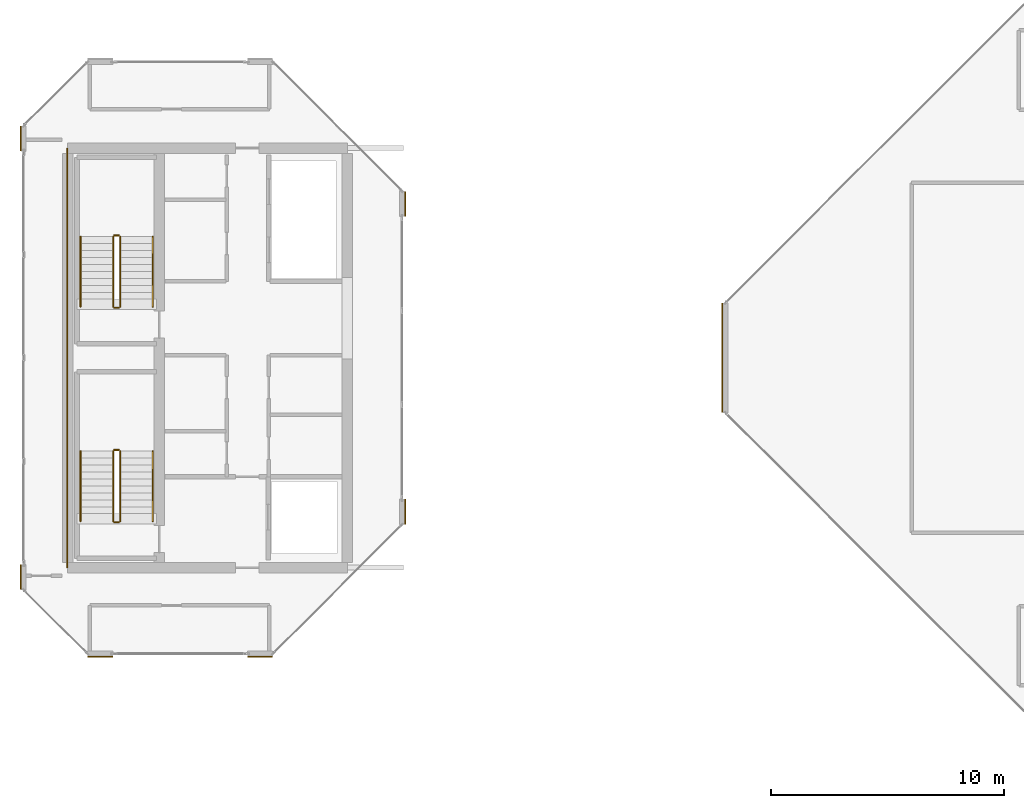
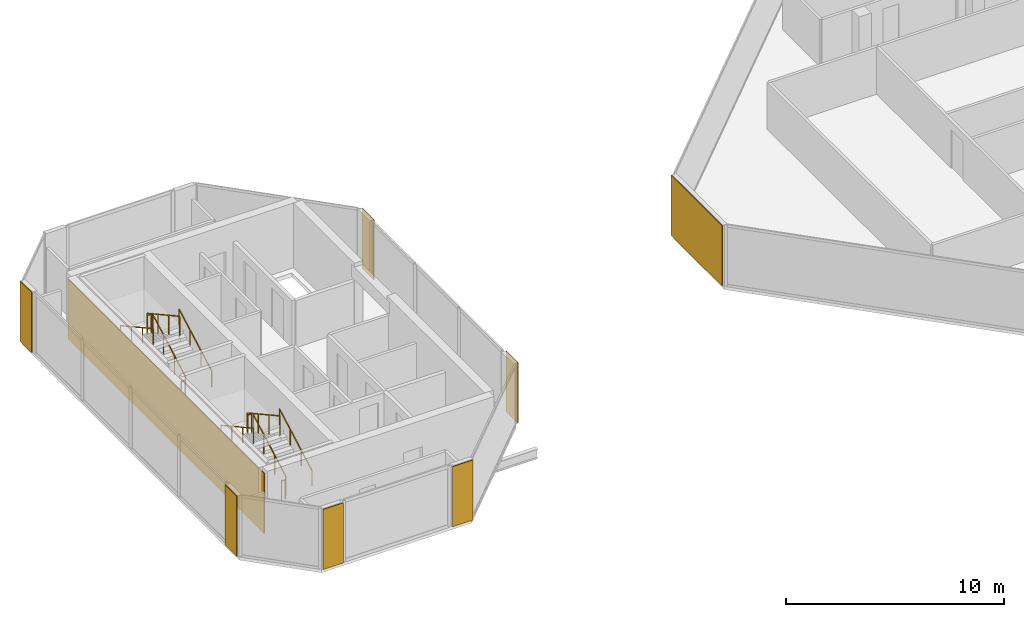
# One storey, part 26 of 28: 12 railings, 8 coverings.
"""IFC4 building model written with IfcOpenShell, lengths in metres."""

import ifcopenshell
import ifcopenshell.guid

model = None  # the IFC model being written
_history = None  # IfcOwnerHistory: only IFC2X3 demands one
_inside = {}  # id of a spatial element -> (the spatial element, [elements in it])
_under = {}  # id of a project, library or spatial element -> (it, [spatial elements below it])
_declared = {}  # id of a project -> (the project, [libraries it declares])
_typed = {}  # id of a type object -> (the type object, [elements of that type])
_made_of = {}  # id of a material, layer set ... -> (it, [elements and type objects made of it])


def new_model(schema):
    """Start an empty IFC model of exactly this schema.

    Asked for "IFC4X3", IfcOpenShell would pick the latest addendum, in which some entities
    have other attributes; the version numbers below select the first issue.
    IFC2X3 requires an IfcOwnerHistory on every rooted entity: one is made here for all.
    """
    global model, _history
    if schema == "IFC4X3":
        model = ifcopenshell.file(schema_version=(4, 3, 0, 0))
    else:
        model = ifcopenshell.file(schema=schema)
    _inside.clear()
    _under.clear()
    _declared.clear()
    _typed.clear()
    _made_of.clear()
    _history = None
    if model.schema == "IFC2X3":
        org = make("IfcOrganization", Name="unknown")
        user = make(
            "IfcPersonAndOrganization",
            ThePerson=make("IfcPerson", FamilyName="unknown"),
            TheOrganization=org,
        )
        app = make(
            "IfcApplication",
            ApplicationDeveloper=org,
            Version="unknown",
            ApplicationFullName="unknown",
            ApplicationIdentifier="unknown",
        )
        _history = make(
            "IfcOwnerHistory",
            OwningUser=user,
            OwningApplication=app,
            ChangeAction="ADDED",
            CreationDate=0,
        )
    return model


def make(cls, **values):
    """One entity of the class cls with the attributes given. An attribute that is None is left unset."""
    return model.create_entity(
        cls, **{name: value for name, value in values.items() if value is not None}
    )


def rooted(cls, **values):
    """An entity with a GlobalId (a new one), such as an element, a storey or a relation."""
    return make(cls, GlobalId=ifcopenshell.guid.new(), OwnerHistory=_history, **values)


def si_unit(unit_type, name, prefix=None):
    """IfcSIUnit, for example si_unit("LENGTHUNIT", "METRE", prefix="MILLI")."""
    return make("IfcSIUnit", UnitType=unit_type, Prefix=prefix, Name=name)


def assignment(units):
    """IfcUnitAssignment: the units of a project."""
    return None if units is None else make("IfcUnitAssignment", Units=units)


def point(xyz):
    """IfcCartesianPoint."""
    return None if xyz is None else make("IfcCartesianPoint", Coordinates=xyz)


def direction(xyz):
    """IfcDirection."""
    return None if xyz is None else make("IfcDirection", DirectionRatios=xyz)


def frame(location, z_axis=None, x_axis=None):
    """IfcAxis2Placement3D, a coordinate frame: its origin and axes. An axis left out is left unset."""
    return make(
        "IfcAxis2Placement3D",
        Location=point(location),
        Axis=direction(z_axis),
        RefDirection=direction(x_axis),
    )


def frame_2d(location, x_axis=None):
    """IfcAxis2Placement2D, a coordinate frame in the plane: its origin and x axis."""
    return make(
        "IfcAxis2Placement2D", Location=point(location), RefDirection=direction(x_axis)
    )


def origin():
    """The frame at (0, 0, 0) with its axes left unset."""
    return frame((0.0, 0.0, 0.0))


def origin_2d():
    """The frame at (0, 0) in the plane with its x axis left unset."""
    return frame_2d((0.0, 0.0))


def place(relative_to, where):
    """IfcLocalPlacement: puts the frame where relative to a parent placement (None: the world)."""
    return make(
        "IfcLocalPlacement", PlacementRelTo=relative_to, RelativePlacement=where
    )


def context(
    kind, dimensions, precision=None, world=None, true_north=None, identifier=None
):
    """IfcGeometricRepresentationContext, for example the 3D "Model" context."""
    return make(
        "IfcGeometricRepresentationContext",
        ContextIdentifier=identifier,
        ContextType=kind,
        CoordinateSpaceDimension=dimensions,
        Precision=precision,
        WorldCoordinateSystem=world,
        TrueNorth=true_north,
    )


def subcontext(parent, identifier, kind, view, scale=None):
    """IfcGeometricRepresentationSubContext, for example "Body" below "Model"."""
    return make(
        "IfcGeometricRepresentationSubContext",
        ContextIdentifier=identifier,
        ContextType=kind,
        ParentContext=parent,
        TargetScale=scale,
        TargetView=view,
    )


def project(units=None, contexts=None):
    """IfcProject with its units and contexts."""
    return rooted(
        "IfcProject",
        Name="project",
        RepresentationContexts=contexts,
        UnitsInContext=assignment(units),
    )


def spatial(cls, under=None, at=None, **own):
    """A site, building, storey or space (cls), placed at a placement, below another one or the project."""
    s = rooted(cls, ObjectPlacement=at, **own)
    if under is not None:
        _under.setdefault(under.id(), (under, []))[1].append(s)
    return s


def profile(cls, at=None, kind="AREA", **sizes):
    """A parametric profile (cls). Its sizes go by their IFC names, for example OverallWidth=200.0."""
    return make(cls, ProfileType=kind, Position=at, **sizes)


def rectangle(**sizes):
    """IfcRectangleProfileDef."""
    return profile("IfcRectangleProfileDef", **sizes)


def extrude(swept, where, along, depth):
    """IfcExtrudedAreaSolid: the profile swept, set in the frame where, extruded along a direction by depth."""
    return make(
        "IfcExtrudedAreaSolid",
        SweptArea=swept,
        Position=where,
        ExtrudedDirection=direction(along),
        Depth=depth,
    )


def shape(context_of_items, identifier, shape_type, items):
    """IfcShapeRepresentation: the items that make up one representation, for example the "Body"."""
    return make(
        "IfcShapeRepresentation",
        ContextOfItems=context_of_items,
        RepresentationIdentifier=identifier,
        RepresentationType=shape_type,
        Items=items,
    )


def material(Name=None, Category=None):
    """IfcMaterial."""
    return make("IfcMaterial", Name=Name, Category=Category)


def layer(
    of_material, thickness, ventilated=None, Name=None, Category=None, Priority=None
):
    """IfcMaterialLayer: one layer of a wall or slab, of a material (None: an air gap)."""
    return make(
        "IfcMaterialLayer",
        Material=of_material,
        LayerThickness=thickness,
        IsVentilated=ventilated,
        Name=Name,
        Category=Category,
        Priority=Priority,
    )


def layer_set(layers, Name=None):
    """IfcMaterialLayerSet."""
    return make("IfcMaterialLayerSet", MaterialLayers=layers, LayerSetName=Name)


def made_of(thing, what):
    """Note that an element or type object is made of a material, layer set ...; save() writes the relation."""
    if what is not None:
        _made_of.setdefault(what.id(), (what, []))[1].append(thing)
    return thing


def type_object(cls, material=None, **own):
    """A type object (cls), such as IfcWallType, which elements share."""
    return made_of(rooted(cls, **own), material)


def element(
    cls,
    number,
    at=None,
    inside=None,
    cuts=None,
    type_object=None,
    material=None,
    context=None,
    identifier="Body",
    shape_type=None,
    held_by="IfcProductDefinitionShape",
    body=None,
    shapes=None,
    **own,
):
    """One element of the class cls, such as IfcWall. Its Tag is "e" and its number.

    at: its placement. inside: the storey or other place that contains it. cuts: it is an
    opening in that element (IfcRelVoidsElement). A single representation is given by context,
    identifier, shape_type and body (its items); several are given by shapes. held_by: the class
    of the entity that holds the representations. save() writes the other relations.
    """
    e = rooted(cls, Tag="e%d" % number, ObjectPlacement=at, **own)
    if body is not None:
        shapes = [shape(context, identifier, shape_type, body)]
    if shapes is not None:
        e.Representation = make(held_by, Representations=shapes)
    if inside is not None:
        _inside.setdefault(inside.id(), (inside, []))[1].append(e)
    if cuts is not None:
        rooted(
            "IfcRelVoidsElement", RelatingBuildingElement=cuts, RelatedOpeningElement=e
        )
    if type_object is not None:
        _typed.setdefault(type_object.id(), (type_object, []))[1].append(e)
    return made_of(e, material)


def aggregate(whole, parts):
    """IfcRelAggregates: a whole, such as a stair, and the parts it consists of."""
    return rooted("IfcRelAggregates", RelatingObject=whole, RelatedObjects=parts)


def save(model, path):
    """Write the relations noted so far, then the file.

    IfcRelAggregates (storeys below a building ...), IfcRelContainedInSpatialStructure (elements
    in a storey), IfcRelDefinesByType, IfcRelAssociatesMaterial and IfcRelDeclares: one each for
    every whole, place, type object, material and project.
    """
    for whole, parts in _under.values():
        aggregate(whole, parts)
    for where, things in _inside.values():
        rooted(
            "IfcRelContainedInSpatialStructure",
            RelatedElements=things,
            RelatingStructure=where,
        )
    for kind, things in _typed.values():
        rooted("IfcRelDefinesByType", RelatedObjects=things, RelatingType=kind)
    for what, things in _made_of.values():
        rooted("IfcRelAssociatesMaterial", RelatedObjects=things, RelatingMaterial=what)
    for by, libraries in _declared.values():
        rooted("IfcRelDeclares", RelatingContext=by, RelatedDefinitions=libraries)
    model.write(path)


model = new_model("IFC4")

# Units and contexts
model_context = context("Model", 3, precision=1e-05, world=origin(), true_north=direction((0.0, 1.0)))
body_context = subcontext(model_context, "Body", "Model", "MODEL_VIEW")
ifc_project = project(units=[si_unit("LENGTHUNIT", "METRE"), si_unit("AREAUNIT", "SQUARE_METRE"), si_unit("VOLUMEUNIT", "CUBIC_METRE"), si_unit("PLANEANGLEUNIT", "RADIAN"), si_unit("MASSUNIT", "GRAM", prefix="KILO")], contexts=[model_context])

# Site, building, storey
site_placement = place(None, origin())
site = spatial("IfcSite", under=ifc_project, at=site_placement, CompositionType="ELEMENT")
building_placement = place(site_placement, origin())
building = spatial("IfcBuilding", under=site, at=building_placement, Name="Tanjung Sevakor Pilgrim Tower", CompositionType="ELEMENT")
storey_placement = place(building_placement, frame((0.0, 0.0, 246.179931640625)))
storey = spatial("IfcBuildingStorey", under=building, at=storey_placement, Name="L69", CompositionType="ELEMENT", Elevation=246.179931640625)

# Coverings
ifc_material_1 = material(Name="Reconstructed Limestone Cladding", Category="masonry")
ifc_layer = layer(ifc_material_1, 0.044921875)
ifc_layer_set = layer_set([ifc_layer], Name="COV-CLAD-LIMESTONE")
covering_type = type_object("IfcCoveringType", Name="COV-CLAD-LIMESTONE", PredefinedType="CLADDING", material=ifc_layer_set)
for number, where, z_axis, x_axis, name in (
    (1, (25.3955078125, 20.777587890625, 0.02001953125), (0.0, 0.0, 1.0), (1.0, 0.0, 0.0), "L69 Warm Limestone Wall Cladding EW-CRN1-L69-WEST-0-1"),
    (2, (32.25439453125, 20.777587890625, 0.02001953125), (0.0, 0.0, 1.0), (1.0, 0.0, 0.0), "L69 Warm Limestone Wall Cladding EW-CRN2-L69-WEST-0-1"),
    (3, (38.472412109375, 26.99560546875, 0.02001953125), (0.0, 0.0, 1.0), (0.0, 1.0, 0.0), "L69 Warm Limestone Wall Cladding EW-CRN1-L69-WEST-2-1"),
    (4, (38.472412109375, 40.204345703125, 0.02001953125), (0.0, 0.0, 1.0), (0.0, 1.0, 0.0), "L69 Warm Limestone Wall Cladding EW-CRN2-L69-WEST-2-1"),
    (5, (21.9775390625, 43.00439453125, 0.02001953125), (0.0, 0.0, 1.0), (0.0, -1.0, 0.0), "L69 Warm Limestone Wall Cladding EW-CRN1-L69-WEST-6-1"),
    (6, (21.9775390625, 24.195556640625, 0.02001953125), (0.0, 0.0, 1.0), (0.0, -1.0, 0.0), "L69 Warm Limestone Wall Cladding EW-CRN2-L69-WEST-6-1"),
):
    element("IfcCovering", number, at=place(storey_placement, frame(where, z_axis=z_axis, x_axis=x_axis)), inside=storey, type_object=covering_type, Name=name, PredefinedType="CLADDING", context=body_context, shape_type="SweptSolid", body=[
        extrude(rectangle(XDim=1.06005859375, YDim=0.044921875, at=origin_2d()), origin(), (0.0, 0.0, 1.0), 3.3701171875),
    ])
covering_1_placement = place(storey_placement, frame((52.077392578125, 33.60009765625, 0.02001953125), z_axis=(0.0, 0.0, 1.0), x_axis=(0.0, -1.0, 0.0)))
element("IfcCovering", 7, at=covering_1_placement, inside=storey, type_object=covering_type, Name="L69 Warm Limestone Wall Cladding EW-L69-EAST-7", PredefinedType="CLADDING", context=body_context, shape_type="SweptSolid", body=[
    extrude(rectangle(XDim=4.668701171875, YDim=0.044921875, at=origin_2d()), origin(), (0.0, 0.0, 1.0), 3.3701171875),
])
covering_2_placement = place(storey_placement, frame((23.9775390625, 33.60009765625, 0.02001953125), z_axis=(0.0, 0.0, 1.0), x_axis=(1.0, 0.0, 0.0)))
element("IfcCovering", 8, at=covering_2_placement, inside=storey, type_object=covering_type, Name="L69 Expressed Core Warm Limestone Cladding W", PredefinedType="CLADDING", context=body_context, shape_type="SweptSolid", body=[
    extrude(rectangle(XDim=0.044921875, YDim=18.0, at=origin_2d()), origin(), (0.0, 0.0, 1.0), 3.3701171875),
])

# Railings
ifc_material_2 = material(Name="Steel S355J2", Category="steel")
railing_type_1 = type_object("IfcRailingType", Name="RL-STAIR-GUARD", PredefinedType="GUARDRAIL", material=ifc_material_2)
railing_1_placement = place(storey_placement, frame((26.25, 26.60009765625, 0.1650390625)))
element("IfcRailing", 9, at=railing_1_placement, inside=storey, type_object=railing_type_1, Name="L69 TS-W1 stair guard 1", PredefinedType="GUARDRAIL", context=body_context, shape_type="SweptSolid", body=[
    extrude(rectangle(XDim=0.0479, YDim=0.0479), frame((0.0, 0.0, 1.076171875), z_axis=(0.0, 0.876197842262, 0.481951596342), x_axis=(-1.0, 0.0, 0.0)), (0.0, 0.0, 1.0), 3.423828125),
    extrude(rectangle(XDim=0.042, YDim=0.042), origin(), (0.0, 0.0, 1.0), 1.052001953125),
    extrude(rectangle(XDim=0.042, YDim=0.042), frame((0.0, 1.0, 0.550048828125)), (0.0, 0.0, 1.0), 1.052001953125),
    extrude(rectangle(XDim=0.042, YDim=0.042), frame((0.0, 2.0, 1.10009765625)), (0.0, 0.0, 1.0), 1.052001953125),
    extrude(rectangle(XDim=0.042, YDim=0.042), frame((0.0, 3.0, 1.650146484375)), (0.0, 0.0, 1.0), 1.052001953125),
])
railing_2_placement = place(storey_placement, frame((26.199951171875, 29.64990234375, 1.815185546875)))
element("IfcRailing", 10, at=railing_2_placement, inside=storey, type_object=railing_type_1, Name="L69 TS-W1 stair guard 2", PredefinedType="GUARDRAIL", context=body_context, shape_type="SweptSolid", body=[
    extrude(rectangle(XDim=0.0479, YDim=0.0479), frame((0.0, 0.0, 1.076171875), z_axis=(-1.0, 0.0, 0.0), x_axis=(0.0, -1.0, 0.0)), (0.0, 0.0, 1.0), 0.199951171875),
    extrude(rectangle(XDim=0.042, YDim=0.042), origin(), (0.0, 0.0, 1.0), 1.052001953125),
    extrude(rectangle(XDim=0.042, YDim=0.042), frame((-0.199951171875, 0.0, 0.0)), (0.0, 0.0, 1.0), 1.052001953125),
])
railing_3_placement = place(storey_placement, frame((25.949951171875, 29.60009765625, 1.97998046875)))
element("IfcRailing", 11, at=railing_3_placement, inside=storey, type_object=railing_type_1, Name="L69 TS-W1 stair guard 3", PredefinedType="GUARDRAIL", context=body_context, shape_type="SweptSolid", body=[
    extrude(rectangle(XDim=0.0479, YDim=0.0479), frame((0.0, 0.0, 1.076171875), z_axis=(0.0, -0.876197842262, 0.481951596342), x_axis=(1.0, 0.0, 0.0)), (0.0, 0.0, 1.0), 3.423828125),
    extrude(rectangle(XDim=0.042, YDim=0.042), origin(), (0.0, 0.0, 1.0), 1.052001953125),
    extrude(rectangle(XDim=0.042, YDim=0.042), frame((0.0, -1.0, 0.550048828125)), (0.0, 0.0, 1.0), 1.052001953125),
    extrude(rectangle(XDim=0.042, YDim=0.042), frame((0.0, -2.0, 1.10009765625)), (0.0, 0.0, 1.0), 1.052001953125),
    extrude(rectangle(XDim=0.042, YDim=0.042), frame((0.0, -3.0, 1.650146484375)), (0.0, 0.0, 1.0), 1.052001953125),
])
railing_4_placement = place(storey_placement, frame((26.199951171875, 26.550048828125, 0.0)))
element("IfcRailing", 12, at=railing_4_placement, inside=storey, type_object=railing_type_1, Name="L69 TS-W1 stair guard 4", PredefinedType="GUARDRAIL", context=body_context, shape_type="SweptSolid", body=[
    extrude(rectangle(XDim=0.0479, YDim=0.0479), frame((0.0, 0.0, 1.076171875), z_axis=(-1.0, 0.0, 0.0), x_axis=(0.0, -1.0, 0.0)), (0.0, 0.0, 1.0), 0.199951171875),
    extrude(rectangle(XDim=0.042, YDim=0.042), origin(), (0.0, 0.0, 1.0), 1.052001953125),
    extrude(rectangle(XDim=0.042, YDim=0.042), frame((-0.199951171875, 0.0, 0.0)), (0.0, 0.0, 1.0), 1.052001953125),
])
railing_5_placement = place(storey_placement, frame((26.25, 35.800048828125, 0.1650390625)))
element("IfcRailing", 13, at=railing_5_placement, inside=storey, type_object=railing_type_1, Name="L69 TS-W2 stair guard 1", PredefinedType="GUARDRAIL", context=body_context, shape_type="SweptSolid", body=[
    extrude(rectangle(XDim=0.0479, YDim=0.0479), frame((0.0, 0.0, 1.076171875), z_axis=(0.0, 0.876197842262, 0.481951596342), x_axis=(-1.0, 0.0, 0.0)), (0.0, 0.0, 1.0), 3.423828125),
    extrude(rectangle(XDim=0.042, YDim=0.042), origin(), (0.0, 0.0, 1.0), 1.052001953125),
    extrude(rectangle(XDim=0.042, YDim=0.042), frame((0.0, 1.0, 0.550048828125)), (0.0, 0.0, 1.0), 1.052001953125),
    extrude(rectangle(XDim=0.042, YDim=0.042), frame((0.0, 2.0, 1.10009765625)), (0.0, 0.0, 1.0), 1.052001953125),
    extrude(rectangle(XDim=0.042, YDim=0.042), frame((0.0, 3.0, 1.650146484375)), (0.0, 0.0, 1.0), 1.052001953125),
])
railing_6_placement = place(storey_placement, frame((26.199951171875, 38.85009765625, 1.815185546875)))
element("IfcRailing", 14, at=railing_6_placement, inside=storey, type_object=railing_type_1, Name="L69 TS-W2 stair guard 2", PredefinedType="GUARDRAIL", context=body_context, shape_type="SweptSolid", body=[
    extrude(rectangle(XDim=0.0479, YDim=0.0479), frame((0.0, 0.0, 1.076171875), z_axis=(-1.0, 0.0, 0.0), x_axis=(0.0, -1.0, 0.0)), (0.0, 0.0, 1.0), 0.199951171875),
    extrude(rectangle(XDim=0.042, YDim=0.042), origin(), (0.0, 0.0, 1.0), 1.052001953125),
    extrude(rectangle(XDim=0.042, YDim=0.042), frame((-0.199951171875, 0.0, 0.0)), (0.0, 0.0, 1.0), 1.052001953125),
])
railing_7_placement = place(storey_placement, frame((25.949951171875, 38.800048828125, 1.97998046875)))
element("IfcRailing", 15, at=railing_7_placement, inside=storey, type_object=railing_type_1, Name="L69 TS-W2 stair guard 3", PredefinedType="GUARDRAIL", context=body_context, shape_type="SweptSolid", body=[
    extrude(rectangle(XDim=0.0479, YDim=0.0479), frame((0.0, 0.0, 1.076171875), z_axis=(0.0, -0.876197842262, 0.481951596342), x_axis=(1.0, 0.0, 0.0)), (0.0, 0.0, 1.0), 3.423828125),
    extrude(rectangle(XDim=0.042, YDim=0.042), origin(), (0.0, 0.0, 1.0), 1.052001953125),
    extrude(rectangle(XDim=0.042, YDim=0.042), frame((0.0, -1.0, 0.550048828125)), (0.0, 0.0, 1.0), 1.052001953125),
    extrude(rectangle(XDim=0.042, YDim=0.042), frame((0.0, -2.0, 1.10009765625)), (0.0, 0.0, 1.0), 1.052001953125),
    extrude(rectangle(XDim=0.042, YDim=0.042), frame((0.0, -3.0, 1.650146484375)), (0.0, 0.0, 1.0), 1.052001953125),
])
railing_8_placement = place(storey_placement, frame((26.199951171875, 35.75, 0.0)))
element("IfcRailing", 16, at=railing_8_placement, inside=storey, type_object=railing_type_1, Name="L69 TS-W2 stair guard 4", PredefinedType="GUARDRAIL", context=body_context, shape_type="SweptSolid", body=[
    extrude(rectangle(XDim=0.0479, YDim=0.0479), frame((0.0, 0.0, 1.076171875), z_axis=(-1.0, 0.0, 0.0), x_axis=(0.0, -1.0, 0.0)), (0.0, 0.0, 1.0), 0.199951171875),
    extrude(rectangle(XDim=0.042, YDim=0.042), origin(), (0.0, 0.0, 1.0), 1.052001953125),
    extrude(rectangle(XDim=0.042, YDim=0.042), frame((-0.199951171875, 0.0, 0.0)), (0.0, 0.0, 1.0), 1.052001953125),
])
ifc_material_3 = material(Name="Steel S355J2", Category="steel")
railing_type_2 = type_object("IfcRailingType", Name="RL-STAIR-HAND", PredefinedType="HANDRAIL", material=ifc_material_3)
railing_9_placement = place(storey_placement, frame((27.64990234375, 26.60009765625, 0.1650390625)))
element("IfcRailing", 17, at=railing_9_placement, inside=storey, type_object=railing_type_2, Name="L69 TS-W1 stair handrail 1", PredefinedType="HANDRAIL", context=body_context, shape_type="SweptSolid", body=[
    extrude(rectangle(XDim=0.0479, YDim=0.0479), frame((0.0, 0.0, 0.8759765625), z_axis=(0.0, 0.876197842262, 0.481951596342), x_axis=(-1.0, 0.0, 0.0)), (0.0, 0.0, 1.0), 3.423828125),
    extrude(rectangle(XDim=0.042, YDim=0.042), origin(), (0.0, 0.0, 1.0), 0.851806640625),
    extrude(rectangle(XDim=0.042, YDim=0.042), frame((0.0, 1.0, 0.550048828125)), (0.0, 0.0, 1.0), 0.851806640625),
    extrude(rectangle(XDim=0.042, YDim=0.042), frame((0.0, 2.0, 1.10009765625)), (0.0, 0.0, 1.0), 0.851806640625),
    extrude(rectangle(XDim=0.042, YDim=0.042), frame((0.0, 3.0, 1.650146484375)), (0.0, 0.0, 1.0), 0.851806640625),
])
railing_10_placement = place(storey_placement, frame((24.550048828125, 29.60009765625, 1.97998046875)))
element("IfcRailing", 18, at=railing_10_placement, inside=storey, type_object=railing_type_2, Name="L69 TS-W1 stair handrail 2", PredefinedType="HANDRAIL", context=body_context, shape_type="SweptSolid", body=[
    extrude(rectangle(XDim=0.0479, YDim=0.0479), frame((0.0, 0.0, 0.8759765625), z_axis=(0.0, -0.876197842262, 0.481951596342), x_axis=(1.0, 0.0, 0.0)), (0.0, 0.0, 1.0), 3.423828125),
    extrude(rectangle(XDim=0.042, YDim=0.042), origin(), (0.0, 0.0, 1.0), 0.851806640625),
    extrude(rectangle(XDim=0.042, YDim=0.042), frame((0.0, -1.0, 0.550048828125)), (0.0, 0.0, 1.0), 0.851806640625),
    extrude(rectangle(XDim=0.042, YDim=0.042), frame((0.0, -2.0, 1.10009765625)), (0.0, 0.0, 1.0), 0.851806640625),
    extrude(rectangle(XDim=0.042, YDim=0.042), frame((0.0, -3.0, 1.650146484375)), (0.0, 0.0, 1.0), 0.851806640625),
])
railing_11_placement = place(storey_placement, frame((27.64990234375, 35.800048828125, 0.1650390625)))
element("IfcRailing", 19, at=railing_11_placement, inside=storey, type_object=railing_type_2, Name="L69 TS-W2 stair handrail 1", PredefinedType="HANDRAIL", context=body_context, shape_type="SweptSolid", body=[
    extrude(rectangle(XDim=0.0479, YDim=0.0479), frame((0.0, 0.0, 0.8759765625), z_axis=(0.0, 0.876197842262, 0.481951596342), x_axis=(-1.0, 0.0, 0.0)), (0.0, 0.0, 1.0), 3.423828125),
    extrude(rectangle(XDim=0.042, YDim=0.042), origin(), (0.0, 0.0, 1.0), 0.851806640625),
    extrude(rectangle(XDim=0.042, YDim=0.042), frame((0.0, 1.0, 0.550048828125)), (0.0, 0.0, 1.0), 0.851806640625),
    extrude(rectangle(XDim=0.042, YDim=0.042), frame((0.0, 2.0, 1.10009765625)), (0.0, 0.0, 1.0), 0.851806640625),
    extrude(rectangle(XDim=0.042, YDim=0.042), frame((0.0, 3.0, 1.650146484375)), (0.0, 0.0, 1.0), 0.851806640625),
])
railing_12_placement = place(storey_placement, frame((24.550048828125, 38.800048828125, 1.97998046875)))
element("IfcRailing", 20, at=railing_12_placement, inside=storey, type_object=railing_type_2, Name="L69 TS-W2 stair handrail 2", PredefinedType="HANDRAIL", context=body_context, shape_type="SweptSolid", body=[
    extrude(rectangle(XDim=0.0479, YDim=0.0479), frame((0.0, 0.0, 0.8759765625), z_axis=(0.0, -0.876197842262, 0.481951596342), x_axis=(1.0, 0.0, 0.0)), (0.0, 0.0, 1.0), 3.423828125),
    extrude(rectangle(XDim=0.042, YDim=0.042), origin(), (0.0, 0.0, 1.0), 0.851806640625),
    extrude(rectangle(XDim=0.042, YDim=0.042), frame((0.0, -1.0, 0.550048828125)), (0.0, 0.0, 1.0), 0.851806640625),
    extrude(rectangle(XDim=0.042, YDim=0.042), frame((0.0, -2.0, 1.10009765625)), (0.0, 0.0, 1.0), 0.851806640625),
    extrude(rectangle(XDim=0.042, YDim=0.042), frame((0.0, -3.0, 1.650146484375)), (0.0, 0.0, 1.0), 0.851806640625),
])

save(model, "model.ifc")
